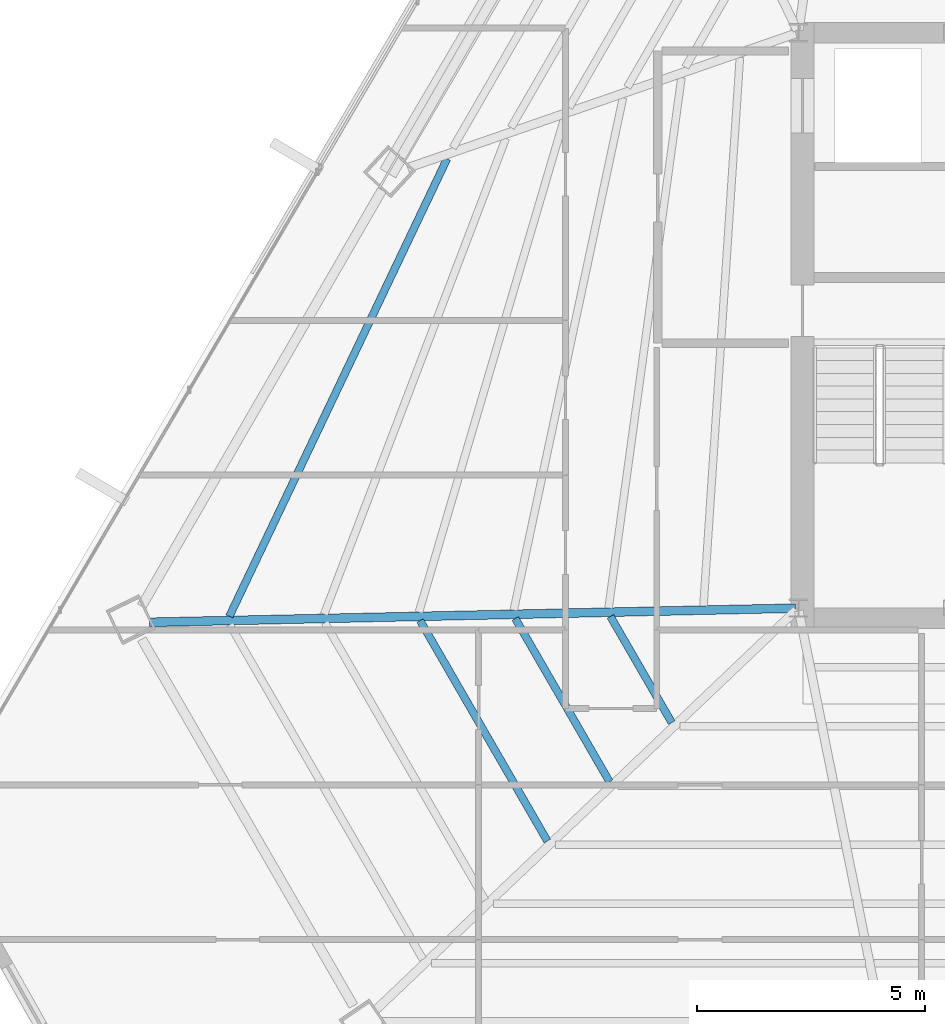
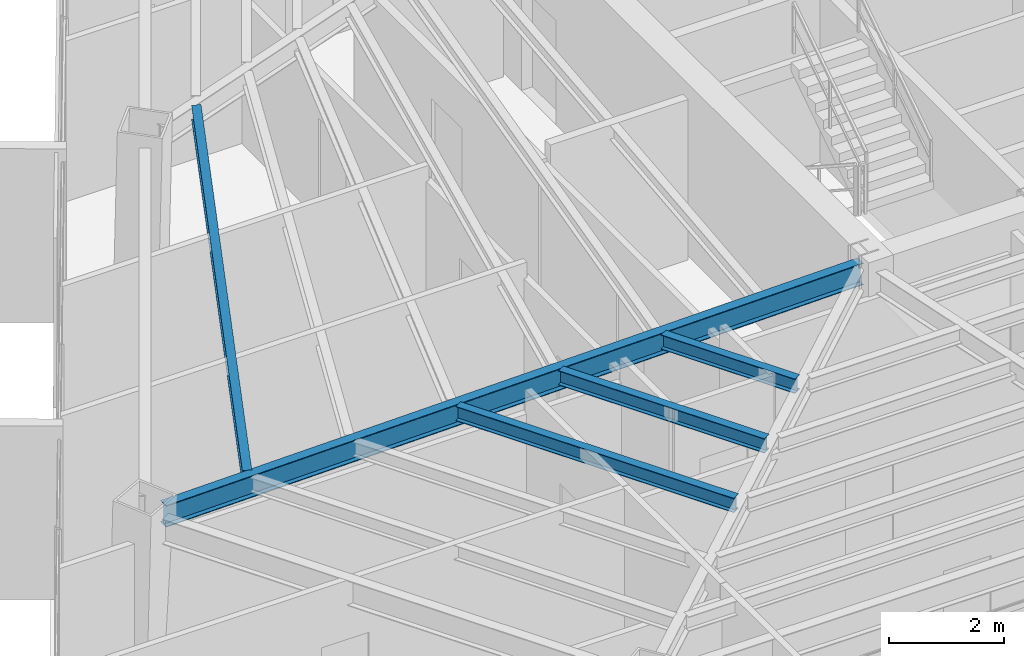
# One storey, part 10 of 42: 5 beams.
"""IFC4 building model written with IfcOpenShell, lengths in metres."""

from ifc_helpers import new_model, si_unit, direction, frame, origin, origin_2d, place, context, subcontext, project, spatial, i_section, extrude, source, transform, mapped, material, material_profile, profile_set, type_object, type_shapes, element, save


model = new_model("IFC4")

# Units and contexts
model_context = context("Model", 3, precision=1e-05, world=origin(), true_north=direction((0.0, 1.0)))
body_context = subcontext(model_context, "Body", "Model", "MODEL_VIEW")
ifc_project = project(units=[si_unit("LENGTHUNIT", "METRE"), si_unit("AREAUNIT", "SQUARE_METRE"), si_unit("VOLUMEUNIT", "CUBIC_METRE"), si_unit("PLANEANGLEUNIT", "RADIAN"), si_unit("MASSUNIT", "GRAM", prefix="KILO")], contexts=[model_context])

# Site, building, storey
site_placement = place(None, origin())
site = spatial("IfcSite", under=ifc_project, at=site_placement, CompositionType="ELEMENT")
building_placement = place(site_placement, origin())
building = spatial("IfcBuilding", under=site, at=building_placement, Name="Caelisora Broadcast Tower", CompositionType="ELEMENT")
storey_placement = place(building_placement, frame((0.0, 0.0, 202.300048828125)))
storey = spatial("IfcBuildingStorey", under=building, at=storey_placement, Name="L53", CompositionType="ELEMENT", Elevation=202.300048828125)

# Beams
ifc_material = material(Name="Steel Grade 350 (AS/NZS 3679.1)", Category="steel")
ifc_material_profile_1 = material_profile(ifc_material, i_section(OverallWidth=0.19091796875, OverallDepth=0.46044921875, WebThickness=0.010009765625, FlangeThickness=0.01611328125, at=origin_2d()), Name="Steel Grade 350 (AS/NZS 3679.1)")
ifc_profile_set_1 = profile_set([ifc_material_profile_1], Name="Steel Grade 350 (AS/NZS 3679.1)")
beam_type_1 = type_object("IfcBeamType", Name="PG06", PredefinedType="BEAM", material=ifc_profile_set_1)
shared_shape_1 = source(origin(), body_context, "Body", "SweptSolid", [
    extrude(i_section(OverallWidth=0.19091796875, OverallDepth=0.46044921875, WebThickness=0.010009765625, FlangeThickness=0.01611328125, at=origin_2d()), origin(), (0.0, 0.0, 1.0), 14.153076171875),
])
type_shapes(beam_type_1, [shared_shape_1])
beam_1_placement = place(storey_placement, frame((30.43994140625, 17.398681640625, 3.169677734375), z_axis=(-0.999761509965, -0.02183857121, 0.0), x_axis=(0.02183857121, -0.999761509965, 0.0)))
element("IfcBeam", 1, at=beam_1_placement, inside=storey, type_object=beam_type_1, Name="L53 beam PG06", PredefinedType="BEAM", context=body_context, shape_type="MappedRepresentation", body=[
    mapped(shared_shape_1, transform((0.0, 0.0, 0.0), scale=1.0)),
])
ifc_material_profile_2 = material_profile(ifc_material, i_section(OverallWidth=0.166015625, OverallDepth=0.30712890625, WebThickness=0.006591796875, FlangeThickness=0.01171875, at=origin_2d()), Name="Steel Grade 350 (AS/NZS 3679.1)")
ifc_profile_set_2 = profile_set([ifc_material_profile_2], Name="Steel Grade 350 (AS/NZS 3679.1)")
beam_type_2 = type_object("IfcBeamType", Name="SB03", PredefinedType="JOIST", material=ifc_profile_set_2)
shared_shape_2 = source(origin(), body_context, "Body", "SweptSolid", [
    extrude(i_section(OverallWidth=0.166015625, OverallDepth=0.30712890625, WebThickness=0.006591796875, FlangeThickness=0.01171875, at=origin_2d()), origin(), (0.0, 0.0, 1.0), 11.09375),
])
beam_2_placement = place(storey_placement, frame((22.808837890625, 27.238525390625, 3.246337890625), z_axis=(-0.429619192931, -0.903010160001, 0.0), x_axis=(0.903010160001, -0.429619192931, 0.0)))
element("IfcBeam", 2, at=beam_2_placement, inside=storey, type_object=beam_type_2, Name="L53 beam SB03", PredefinedType="JOIST", context=body_context, shape_type="MappedRepresentation", body=[
    mapped(shared_shape_2, transform((0.0, 0.0, 0.0), scale=1.0)),
])
shared_shape_3 = source(origin(), body_context, "Body", "SweptSolid", [
    extrude(i_section(OverallWidth=0.166015625, OverallDepth=0.30712890625, WebThickness=0.006591796875, FlangeThickness=0.01171875, at=origin_2d()), origin(), (0.0, 0.0, 1.0), 2.68505859375),
])
beam_3_placement = place(storey_placement, frame((26.3857421875, 17.21728515625, 3.246337890625), z_axis=(0.499982180423, -0.866035691677, 0.0), x_axis=(0.866035691677, 0.499982180423, 0.0)))
element("IfcBeam", 3, at=beam_3_placement, inside=storey, type_object=beam_type_2, Name="L53 beam SB03", PredefinedType="JOIST", context=body_context, shape_type="MappedRepresentation", body=[
    mapped(shared_shape_3, transform((0.0, 0.0, 0.0), scale=1.0)),
])
shared_shape_4 = source(origin(), body_context, "Body", "SweptSolid", [
    extrude(i_section(OverallWidth=0.166015625, OverallDepth=0.30712890625, WebThickness=0.006591796875, FlangeThickness=0.01171875, at=origin_2d()), origin(), (0.0, 0.0, 1.0), 4.12841796875),
])
beam_4_placement = place(storey_placement, frame((24.302001953125, 17.171875, 3.246337890625), z_axis=(0.499986929959, -0.866032949645, 0.0), x_axis=(0.866032949645, 0.499986929959, 0.0)))
element("IfcBeam", 4, at=beam_4_placement, inside=storey, type_object=beam_type_2, Name="L53 beam SB03", PredefinedType="JOIST", context=body_context, shape_type="MappedRepresentation", body=[
    mapped(shared_shape_4, transform((0.0, 0.0, 0.0), scale=1.0)),
])
shared_shape_5 = source(origin(), body_context, "Body", "SweptSolid", [
    extrude(i_section(OverallWidth=0.166015625, OverallDepth=0.30712890625, WebThickness=0.006591796875, FlangeThickness=0.01171875, at=origin_2d()), origin(), (0.0, 0.0, 1.0), 5.571533203125),
])
type_shapes(beam_type_2, [shared_shape_2, shared_shape_3, shared_shape_4, shared_shape_5])
beam_5_placement = place(storey_placement, frame((22.218505859375, 17.126220703125, 3.246337890625), z_axis=(0.499975327912, -0.866039647752, 0.0), x_axis=(0.866039647752, 0.499975327912, 0.0)))
element("IfcBeam", 5, at=beam_5_placement, inside=storey, type_object=beam_type_2, Name="L53 beam SB03", PredefinedType="JOIST", context=body_context, shape_type="MappedRepresentation", body=[
    mapped(shared_shape_5, transform((0.0, 0.0, 0.0), scale=1.0)),
])

save(model, "model.ifc")
